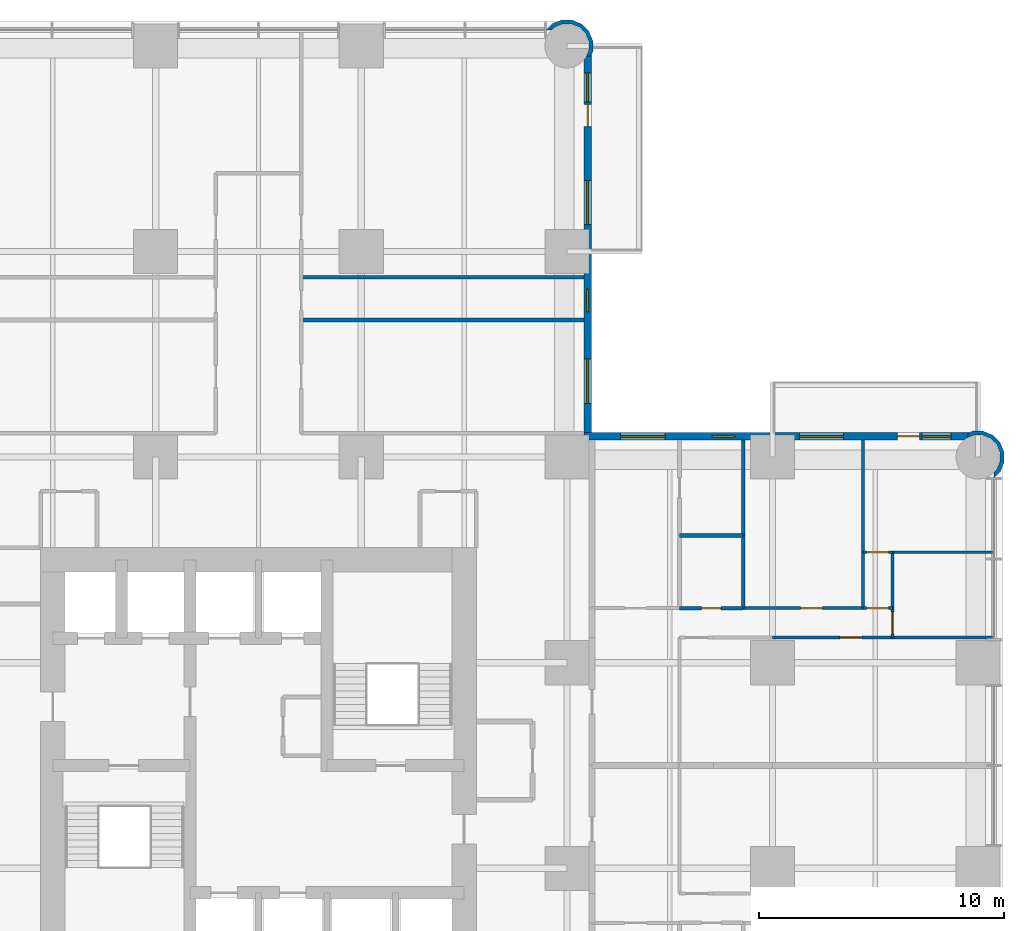
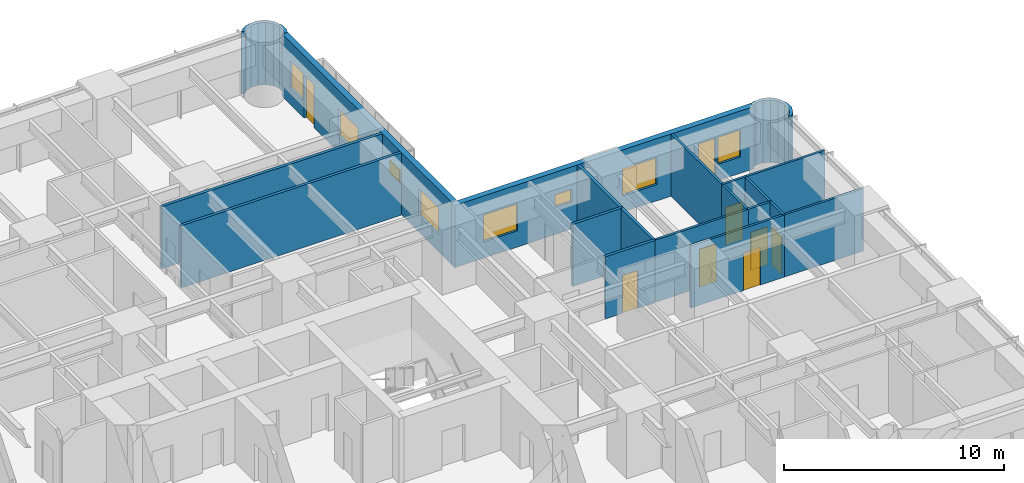
# One storey, part 14 of 17: 20 walls, 8 doors, 8 windows, 16 openings.
"""IFC4 building model written with IfcOpenShell, lengths in metres."""

from ifc_helpers import new_model, si_unit, direction, frame, frame_2d, origin, place, context, subcontext, project, spatial, polyline, rectangle, outline, extrude, material, layer, layer_set, type_object, element, fill, save


model = new_model("IFC4")

# Units and contexts
model_context = context("Model", 3, precision=1e-05, world=origin(), true_north=direction((0.0, 1.0)))
body_context = subcontext(model_context, "Body", "Model", "MODEL_VIEW")
ifc_project = project(units=[si_unit("LENGTHUNIT", "METRE"), si_unit("AREAUNIT", "SQUARE_METRE"), si_unit("VOLUMEUNIT", "CUBIC_METRE"), si_unit("PLANEANGLEUNIT", "RADIAN"), si_unit("MASSUNIT", "GRAM", prefix="KILO")], contexts=[model_context])

# Site, building, storey
site_placement = place(None, origin())
site = spatial("IfcSite", under=ifc_project, at=site_placement, CompositionType="ELEMENT")
building_placement = place(site_placement, origin())
building = spatial("IfcBuilding", under=site, at=building_placement, Name="Torre Alcanfor", CompositionType="ELEMENT")
storey_placement = place(building_placement, frame((0.0, 0.0, 38.10009765625)))
storey = spatial("IfcBuildingStorey", under=building, at=storey_placement, Name="L08", CompositionType="ELEMENT", Elevation=38.10009765625)

# Wall, opening, door
ifc_material_1 = material(Name="Gypsum board on steel studs", Category="steel")
ifc_layer_1 = layer(ifc_material_1, 0.1201171875)
ifc_layer_set_1 = layer_set([ifc_layer_1], Name="Apartment partition 120")
wall_type_1 = type_object("IfcWallType", Name="Apartment partition 120", PredefinedType="PARTITIONING", material=ifc_layer_set_1)
wall_1_placement = place(storey_placement, frame((55.300048828125, 34.62890625, 0.0), z_axis=(0.0, 0.0, 1.0), x_axis=(-1.0, 0.0, 0.0)))
wall_1 = element("IfcWall", 1, at=wall_1_placement, inside=storey, type_object=wall_type_1, Name="Partition L08-E1-LIVING / L08-E1-HALL", PredefinedType="PARTITIONING", context=body_context, shape_type="SweptSolid", body=[
    extrude(rectangle(XDim=4.900146484375, YDim=0.1201171875, at=frame_2d((2.4501953125, 0.0))), origin(), (0.0, 0.0, 1.0), 3.449951171875),
])
opening_1_placement = place(wall_1_placement, frame((1.25, 0.0, 0.0)))
opening_1 = element("IfcOpeningElement", 2, at=opening_1_placement, cuts=wall_1, Name="Opening D-R1", PredefinedType="OPENING", context=body_context, shape_type="SweptSolid", body=[
    extrude(rectangle(XDim=0.89990234375, YDim=2.10009765625, at=frame_2d((0.449951171875, 1.050048828125))), frame((0.0, 0.070068359375, 0.0), z_axis=(0.0, -1.0, 0.0), x_axis=(1.0, 0.0, 0.0)), (0.0, 0.0, 1.0), 0.14013671875),
])
ifc_material_2 = material(Name="Timber", Category="wood")
door_type_1 = type_object("IfcDoorType", Name="Internal door 900x2100", OperationType="SINGLE_SWING_LEFT", PredefinedType="DOOR", material=ifc_material_2)
door_1_placement = place(opening_1_placement, origin())
door_1 = element("IfcDoor", 3, at=door_1_placement, inside=storey, type_object=door_type_1, Name="Door L08-E1 living", OperationType="SINGLE_SWING_RIGHT", OverallHeight=2.10009765625, OverallWidth=0.89990234375, PredefinedType="DOOR", context=body_context, shape_type="SweptSolid", body=[
    extrude(rectangle(XDim=0.89990234375, YDim=2.10009765625, at=frame_2d((0.449951171875, 1.050048828125))), frame((0.0, 0.02490234375, 0.0), z_axis=(0.0, -1.0, 0.0), x_axis=(1.0, 0.0, 0.0)), (0.0, 0.0, 1.0), 0.050048828125),
])
fill(opening_1, door_1)

# Wall
wall_2_placement = place(storey_placement, frame((59.449951171875, 34.62890625, 0.0), z_axis=(0.0, 0.0, 1.0), x_axis=(-1.0, 0.0, 0.0)))
element("IfcWall", 4, at=wall_2_placement, inside=storey, type_object=wall_type_1, Name="Partition L08-E1-LIVING / L08-E1-BED2", PredefinedType="PARTITIONING", context=body_context, shape_type="SweptSolid", body=[
    extrude(rectangle(XDim=4.14990234375, YDim=0.1201171875, at=frame_2d((2.074951171875, 0.0))), origin(), (0.0, 0.0, 1.0), 3.449951171875),
])

# Wall, opening, door
wall_3_placement = place(storey_placement, frame((54.10009765625, 35.8291015625, 0.0), z_axis=(0.0, 0.0, 1.0), x_axis=(-1.0, 0.0, 0.0)))
wall_3 = element("IfcWall", 5, at=wall_3_placement, inside=storey, type_object=wall_type_1, Name="Partition L08-E1-HALL / L08-E1-BED3", PredefinedType="PARTITIONING", context=body_context, shape_type="SweptSolid", body=[
    extrude(rectangle(XDim=4.900146484375, YDim=0.1201171875, at=frame_2d((2.4501953125, 0.0))), origin(), (0.0, 0.0, 1.0), 3.449951171875),
])
opening_2_placement = place(wall_3_placement, frame((1.64990234375, 0.0, 0.0)))
opening_2 = element("IfcOpeningElement", 6, at=opening_2_placement, cuts=wall_3, Name="Opening D-R1", PredefinedType="OPENING", context=body_context, shape_type="SweptSolid", body=[
    extrude(rectangle(XDim=0.89990234375, YDim=2.10009765625, at=frame_2d((0.449951171875, 1.050048828125))), frame((0.0, 0.070068359375, 0.0), z_axis=(0.0, -1.0, 0.0), x_axis=(1.0, 0.0, 0.0)), (0.0, 0.0, 1.0), 0.14013671875),
])
door_2_placement = place(opening_2_placement, frame((0.89990234375, 0.0, 0.0), z_axis=(0.0, 0.0, 1.0), x_axis=(-1.0, 0.0, 0.0)))
door_2 = element("IfcDoor", 7, at=door_2_placement, inside=storey, type_object=door_type_1, Name="Door L08-E1 bed3", OperationType="SINGLE_SWING_RIGHT", OverallHeight=2.10009765625, OverallWidth=0.89990234375, PredefinedType="DOOR", context=body_context, shape_type="SweptSolid", body=[
    extrude(rectangle(XDim=0.89990234375, YDim=2.10009765625, at=frame_2d((0.449951171875, 1.050048828125))), frame((0.0, 0.025146484375, 0.0), z_axis=(0.0, -1.0, 0.0), x_axis=(1.0, 0.0, 0.0)), (0.0, 0.0, 1.0), 0.050048828125),
])
fill(opening_2, door_2)

wall_4_placement = place(storey_placement, frame((55.300048828125, 35.8291015625, 0.0), z_axis=(0.0, 0.0, 1.0), x_axis=(-1.0, 0.0, 0.0)))
wall_4 = element("IfcWall", 8, at=wall_4_placement, inside=storey, type_object=wall_type_1, Name="Partition L08-E1-HALL / L08-E1-VEST", PredefinedType="PARTITIONING", context=body_context, shape_type="SweptSolid", body=[
    extrude(rectangle(XDim=1.199951171875, YDim=0.1201171875, at=frame_2d((0.60009765625, 0.0))), origin(), (0.0, 0.0, 1.0), 3.449951171875),
])
opening_3_placement = place(wall_4_placement, frame((0.14990234375, 0.0, 0.0)))
opening_3 = element("IfcOpeningElement", 9, at=opening_3_placement, cuts=wall_4, Name="Opening D-R1", PredefinedType="OPENING", context=body_context, shape_type="SweptSolid", body=[
    extrude(rectangle(XDim=0.89990234375, YDim=2.10009765625, at=frame_2d((0.449951171875, 1.050048828125))), frame((0.0, 0.070068359375, 0.0), z_axis=(0.0, -1.0, 0.0), x_axis=(1.0, 0.0, 0.0)), (0.0, 0.0, 1.0), 0.14013671875),
])
door_3_placement = place(opening_3_placement, frame((0.89990234375, 0.0, 0.0), z_axis=(0.0, 0.0, 1.0), x_axis=(-1.0, 0.0, 0.0)))
door_3 = element("IfcDoor", 10, at=door_3_placement, inside=storey, type_object=door_type_1, Name="Door L08-E1 vest", OperationType="SINGLE_SWING_RIGHT", OverallHeight=2.10009765625, OverallWidth=0.89990234375, PredefinedType="DOOR", context=body_context, shape_type="SweptSolid", body=[
    extrude(rectangle(XDim=0.89990234375, YDim=2.10009765625, at=frame_2d((0.449951171875, 1.050048828125))), frame((0.0, 0.025146484375, 0.0), z_axis=(0.0, -1.0, 0.0), x_axis=(1.0, 0.0, 0.0)), (0.0, 0.0, 1.0), 0.050048828125),
])
fill(opening_3, door_3)

wall_5_placement = place(storey_placement, frame((55.300048828125, 34.62890625, 0.0), z_axis=(0.0, 0.0, 1.0), x_axis=(0.0, 1.0, 0.0)))
wall_5 = element("IfcWall", 11, at=wall_5_placement, inside=storey, type_object=wall_type_1, Name="Partition L08-E1-HALL / L08-E1-BED2", PredefinedType="PARTITIONING", context=body_context, shape_type="SweptSolid", body=[
    extrude(rectangle(XDim=1.2001953125, YDim=0.1201171875, at=frame_2d((0.60009765625, 0.0))), origin(), (0.0, 0.0, 1.0), 3.449951171875),
])
opening_4_placement = place(wall_5_placement, frame((0.15087890625, 0.0, 0.0)))
opening_4 = element("IfcOpeningElement", 12, at=opening_4_placement, cuts=wall_5, Name="Opening D-R1", PredefinedType="OPENING", context=body_context, shape_type="SweptSolid", body=[
    extrude(rectangle(XDim=0.89990234375, YDim=2.10009765625, at=frame_2d((0.449951171875, 1.050048828125))), frame((0.0, 0.070068359375, 0.0), z_axis=(0.0, -1.0, 0.0), x_axis=(1.0, 0.0, 0.0)), (0.0, 0.0, 1.0), 0.14013671875),
])
door_4_placement = place(opening_4_placement, frame((0.89990234375, 0.0, 0.0), z_axis=(0.0, 0.0, 1.0), x_axis=(-1.0, 0.0, 0.0)))
door_4 = element("IfcDoor", 13, at=door_4_placement, inside=storey, type_object=door_type_1, Name="Door L08-E1 bed2", OperationType="SINGLE_SWING_RIGHT", OverallHeight=2.10009765625, OverallWidth=0.89990234375, PredefinedType="DOOR", context=body_context, shape_type="SweptSolid", body=[
    extrude(rectangle(XDim=0.89990234375, YDim=2.10009765625, at=frame_2d((0.449951171875, 1.050048828125))), frame((0.0, 0.025146484375, 0.0), z_axis=(0.0, -1.0, 0.0), x_axis=(1.0, 0.0, 0.0)), (0.0, 0.0, 1.0), 0.050048828125),
])
fill(opening_4, door_4)

# Walls
wall_6_placement = place(storey_placement, frame((54.10009765625, 35.8291015625, 0.0), z_axis=(0.0, 0.0, 1.0), x_axis=(0.0, 1.0, 0.0)))
element("IfcWall", 14, at=wall_6_placement, inside=storey, type_object=wall_type_1, Name="Partition L08-E1-BED3 / L08-E1-VEST", PredefinedType="PARTITIONING", context=body_context, shape_type="SweptSolid", body=[
    extrude(rectangle(XDim=2.284912109375, YDim=0.1201171875, at=frame_2d((1.142578125, 0.0))), origin(), (0.0, 0.0, 1.0), 3.449951171875),
])
wall_7_placement = place(storey_placement, frame((54.10009765625, 38.114013671875, 0.0), z_axis=(0.0, 0.0, 1.0), x_axis=(0.0, 1.0, 0.0)))
element("IfcWall", 15, at=wall_7_placement, inside=storey, type_object=wall_type_1, Name="Partition L08-E1-BED3 / L08-E1-MASTER", PredefinedType="PARTITIONING", context=body_context, shape_type="SweptSolid", body=[
    extrude(rectangle(XDim=4.5859375, YDim=0.1201171875, at=frame_2d((2.29296875, 0.0))), origin(), (0.0, 0.0, 1.0), 3.449951171875),
])
wall_8_placement = place(storey_placement, frame((55.300048828125, 35.8291015625, 0.0), z_axis=(0.0, 0.0, 1.0), x_axis=(0.0, 1.0, 0.0)))
element("IfcWall", 16, at=wall_8_placement, inside=storey, type_object=wall_type_1, Name="Partition L08-E1-VEST / L08-E1-BED2", PredefinedType="PARTITIONING", context=body_context, shape_type="SweptSolid", body=[
    extrude(rectangle(XDim=2.284912109375, YDim=0.1201171875, at=frame_2d((1.142578125, 0.0))), origin(), (0.0, 0.0, 1.0), 3.449951171875),
])

# Wall, opening, door
wall_9_placement = place(storey_placement, frame((55.300048828125, 38.114013671875, 0.0), z_axis=(0.0, 0.0, 1.0), x_axis=(-1.0, 0.0, 0.0)))
wall_9 = element("IfcWall", 17, at=wall_9_placement, inside=storey, type_object=wall_type_1, Name="Partition L08-E1-VEST / L08-E1-MASTER", PredefinedType="PARTITIONING", context=body_context, shape_type="SweptSolid", body=[
    extrude(rectangle(XDim=1.199951171875, YDim=0.1201171875, at=frame_2d((0.60009765625, 0.0))), origin(), (0.0, 0.0, 1.0), 3.449951171875),
])
opening_5_placement = place(wall_9_placement, frame((0.14990234375, 0.0, 0.0)))
opening_5 = element("IfcOpeningElement", 18, at=opening_5_placement, cuts=wall_9, Name="Opening D-R1", PredefinedType="OPENING", context=body_context, shape_type="SweptSolid", body=[
    extrude(rectangle(XDim=0.89990234375, YDim=2.10009765625, at=frame_2d((0.449951171875, 1.050048828125))), frame((0.0, 0.070068359375, 0.0), z_axis=(0.0, -1.0, 0.0), x_axis=(1.0, 0.0, 0.0)), (0.0, 0.0, 1.0), 0.14013671875),
])
door_5_placement = place(opening_5_placement, origin())
door_5 = element("IfcDoor", 19, at=door_5_placement, inside=storey, type_object=door_type_1, Name="Door L08-E1 master", OperationType="SINGLE_SWING_LEFT", OverallHeight=2.10009765625, OverallWidth=0.89990234375, PredefinedType="DOOR", context=body_context, shape_type="SweptSolid", body=[
    extrude(rectangle(XDim=0.89990234375, YDim=2.10009765625, at=frame_2d((0.449951171875, 1.050048828125))), frame((0.0, 0.02490234375, 0.0), z_axis=(0.0, -1.0, 0.0), x_axis=(1.0, 0.0, 0.0)), (0.0, 0.0, 1.0), 0.050048828125),
])
fill(opening_5, door_5)

# Wall
wall_10_placement = place(storey_placement, frame((59.449951171875, 38.114013671875, 0.0), z_axis=(0.0, 0.0, 1.0), x_axis=(-1.0, 0.0, 0.0)))
element("IfcWall", 20, at=wall_10_placement, inside=storey, type_object=wall_type_1, Name="Partition L08-E1-BED2 / L08-E1-MASTER", PredefinedType="PARTITIONING", context=body_context, shape_type="SweptSolid", body=[
    extrude(rectangle(XDim=4.14990234375, YDim=0.1201171875, at=frame_2d((2.074951171875, 0.0))), origin(), (0.0, 0.0, 1.0), 3.449951171875),
])

# Wall, openings, door, windows
ifc_material_3 = material(Name="Limestone cladding", Category="masonry")
ifc_layer_2 = layer(ifc_material_3, 0.0400390625, Name="Facing")
ifc_material_4 = material(Name="Ventilated air cavity")
ifc_layer_3 = layer(ifc_material_4, 0.02001953125, ventilated=True, Name="Ventilated joint")
ifc_material_5 = material(Name="Mineral wool insulation", Category="insulation")
ifc_layer_4 = layer(ifc_material_5, 0.10009765625, Name="Insulation")
ifc_material_6 = material(Name="Concrete f'c 35 MPa", Category="concrete")
ifc_layer_5 = layer(ifc_material_6, 0.139892578125, Name="Backing")
ifc_layer_set_2 = layer_set([ifc_layer_2, ifc_layer_3, ifc_layer_4, ifc_layer_5], Name="External wall stone-clad 300")
wall_type_2 = type_object("IfcWallType", Name="External wall stone-clad 300", PredefinedType="SOLIDWALL", material=ifc_layer_set_2)
wall_11_placement = place(storey_placement, frame((58.39990234375, 42.85009765625, 0.0), z_axis=(0.0, 0.0, 1.0), x_axis=(-1.0, 0.0, 0.0)))
wall_11 = element("IfcWall", 21, at=wall_11_placement, inside=storey, type_object=wall_type_2, Name="External wall L08 9", PredefinedType="SOLIDWALL", context=body_context, shape_type="SweptSolid", body=[
    extrude(rectangle(XDim=15.699951171875, YDim=0.300048828125, at=frame_2d((7.85009765625, 0.0))), origin(), (0.0, 0.0, 1.0), 3.449951171875),
])
opening_6_placement = place(wall_11_placement, frame((12.39990234375, 0.0, 0.89990234375)))
opening_6 = element("IfcOpeningElement", 22, at=opening_6_placement, cuts=wall_11, Name="Opening W2", PredefinedType="OPENING", context=body_context, shape_type="SweptSolid", body=[
    extrude(rectangle(XDim=1.800048828125, YDim=1.5, at=frame_2d((0.89990234375, 0.75))), frame((0.0, 0.159912109375, 0.0), z_axis=(0.0, -1.0, 0.0), x_axis=(1.0, 0.0, 0.0)), (0.0, 0.0, 1.0), 0.320068359375),
])
opening_7_placement = place(wall_11_placement, frame((9.550048828125, 0.0, 1.5)))
opening_7 = element("IfcOpeningElement", 23, at=opening_7_placement, cuts=wall_11, Name="Opening W3", PredefinedType="OPENING", context=body_context, shape_type="SweptSolid", body=[
    extrude(rectangle(XDim=0.89990234375, YDim=0.699951171875, at=frame_2d((0.449951171875, 0.35009765625))), frame((0.0, 0.159912109375, 0.0), z_axis=(0.0, -1.0, 0.0), x_axis=(1.0, 0.0, 0.0)), (0.0, 0.0, 1.0), 0.320068359375),
])
opening_8_placement = place(wall_11_placement, frame((5.10009765625, 0.0, 0.89990234375)))
opening_8 = element("IfcOpeningElement", 24, at=opening_8_placement, cuts=wall_11, Name="Opening W2", PredefinedType="OPENING", context=body_context, shape_type="SweptSolid", body=[
    extrude(rectangle(XDim=1.800048828125, YDim=1.5, at=frame_2d((0.89990234375, 0.75))), frame((0.0, 0.159912109375, 0.0), z_axis=(0.0, -1.0, 0.0), x_axis=(1.0, 0.0, 0.0)), (0.0, 0.0, 1.0), 0.320068359375),
])
opening_9_placement = place(wall_11_placement, frame((2.0, 0.0, 0.0)))
opening_9 = element("IfcOpeningElement", 25, at=opening_9_placement, cuts=wall_11, Name="Opening D-B1", PredefinedType="OPENING", context=body_context, shape_type="SweptSolid", body=[
    extrude(rectangle(XDim=0.89990234375, YDim=2.39990234375, at=frame_2d((0.449951171875, 1.199951171875))), frame((0.0, 0.159912109375, 0.0), z_axis=(0.0, -1.0, 0.0), x_axis=(1.0, 0.0, 0.0)), (0.0, 0.0, 1.0), 0.320068359375),
])
opening_10_placement = place(wall_11_placement, frame((0.699951171875, 0.0, 0.89990234375)))
opening_10 = element("IfcOpeningElement", 26, at=opening_10_placement, cuts=wall_11, Name="Opening W4", PredefinedType="OPENING", context=body_context, shape_type="SweptSolid", body=[
    extrude(rectangle(XDim=1.199951171875, YDim=1.5, at=frame_2d((0.60009765625, 0.75))), frame((0.0, 0.159912109375, 0.0), z_axis=(0.0, -1.0, 0.0), x_axis=(1.0, 0.0, 0.0)), (0.0, 0.0, 1.0), 0.320068359375),
])
ifc_material_7 = material(Name="Aluminium and glass", Category="aluminium")
door_type_2 = type_object("IfcDoorType", Name="Balcony door glazed 900x2400", OperationType="SINGLE_SWING_LEFT", PredefinedType="DOOR", material=ifc_material_7)
door_6_placement = place(opening_9_placement, origin())
door_6 = element("IfcDoor", 27, at=door_6_placement, inside=storey, type_object=door_type_2, Name="Balcony door L08-E1", OperationType="SINGLE_SWING_RIGHT", OverallHeight=2.39990234375, OverallWidth=0.89990234375, PredefinedType="DOOR", context=body_context, shape_type="SweptSolid", body=[
    extrude(rectangle(XDim=0.89990234375, YDim=2.39990234375, at=frame_2d((0.449951171875, 1.199951171875))), frame((0.0, 0.02490234375, 0.0), z_axis=(0.0, -1.0, 0.0), x_axis=(1.0, 0.0, 0.0)), (0.0, 0.0, 1.0), 0.050048828125),
])
fill(opening_9, door_6)
ifc_material_8 = material(Name="Aluminium frame with clear double glazing", Category="aluminium")
window_type_1 = type_object("IfcWindowType", Name="Window bathroom 900x700", PartitioningType="SINGLE_PANEL", PredefinedType="WINDOW", material=ifc_material_8)
window_1_placement = place(opening_7_placement, origin())
window_1 = element("IfcWindow", 28, at=window_1_placement, inside=storey, type_object=window_type_1, Name="Window W3 L08-E1", OverallHeight=0.699951171875, OverallWidth=0.89990234375, PartitioningType="SINGLE_PANEL", PredefinedType="WINDOW", context=body_context, shape_type="SweptSolid", body=[
    extrude(rectangle(XDim=0.89990234375, YDim=0.699951171875, at=frame_2d((0.449951171875, 0.35009765625))), frame((0.0, 0.030029296875, 0.0), z_axis=(0.0, -1.0, 0.0), x_axis=(1.0, 0.0, 0.0)), (0.0, 0.0, 1.0), 0.06005859375),
])
fill(opening_7, window_1)
ifc_material_9 = material(Name="Aluminium frame with clear double glazing", Category="aluminium")
window_type_2 = type_object("IfcWindowType", Name="Window bedroom 1200x1500", PartitioningType="SINGLE_PANEL", PredefinedType="WINDOW", material=ifc_material_9)
window_2_placement = place(opening_10_placement, origin())
window_2 = element("IfcWindow", 29, at=window_2_placement, inside=storey, type_object=window_type_2, Name="Window W4 L08-E1", OverallHeight=1.5, OverallWidth=1.199951171875, PartitioningType="SINGLE_PANEL", PredefinedType="WINDOW", context=body_context, shape_type="SweptSolid", body=[
    extrude(rectangle(XDim=1.199951171875, YDim=1.5, at=frame_2d((0.60009765625, 0.75))), frame((0.0, 0.030029296875, 0.0), z_axis=(0.0, -1.0, 0.0), x_axis=(1.0, 0.0, 0.0)), (0.0, 0.0, 1.0), 0.06005859375),
])
fill(opening_10, window_2)
ifc_material_10 = material(Name="Aluminium frame with clear double glazing", Category="aluminium")
window_type_3 = type_object("IfcWindowType", Name="Window bedroom 1800x1500", PartitioningType="SINGLE_PANEL", PredefinedType="WINDOW", material=ifc_material_10)
window_3_placement = place(opening_6_placement, origin())
window_3 = element("IfcWindow", 30, at=window_3_placement, inside=storey, type_object=window_type_3, Name="Window W2 L08-E1", OverallHeight=1.5, OverallWidth=1.800048828125, PartitioningType="SINGLE_PANEL", PredefinedType="WINDOW", context=body_context, shape_type="SweptSolid", body=[
    extrude(rectangle(XDim=1.800048828125, YDim=1.5, at=frame_2d((0.89990234375, 0.75))), frame((0.0, 0.030029296875, 0.0), z_axis=(0.0, -1.0, 0.0), x_axis=(1.0, 0.0, 0.0)), (0.0, 0.0, 1.0), 0.06005859375),
])
fill(opening_6, window_3)
window_4_placement = place(opening_8_placement, origin())
window_4 = element("IfcWindow", 31, at=window_4_placement, inside=storey, type_object=window_type_3, Name="Window W2 L08-E1", OverallHeight=1.5, OverallWidth=1.800048828125, PartitioningType="SINGLE_PANEL", PredefinedType="WINDOW", context=body_context, shape_type="SweptSolid", body=[
    extrude(rectangle(XDim=1.800048828125, YDim=1.5, at=frame_2d((0.89990234375, 0.75))), frame((0.0, 0.030029296875, 0.0), z_axis=(0.0, -1.0, 0.0), x_axis=(1.0, 0.0, 0.0)), (0.0, 0.0, 1.0), 0.06005859375),
])
fill(opening_8, window_4)

wall_12_placement = place(storey_placement, frame((42.85009765625, 43.0, 0.0), z_axis=(0.0, 0.0, 1.0), x_axis=(0.0, 1.0, 0.0)))
wall_12 = element("IfcWall", 32, at=wall_12_placement, inside=storey, type_object=wall_type_2, Name="External wall L08 10", PredefinedType="SOLIDWALL", context=body_context, shape_type="SweptSolid", body=[
    extrude(rectangle(XDim=15.39990234375, YDim=0.300048828125, at=frame_2d((7.699951171875, 0.0))), origin(), (0.0, 0.0, 1.0), 3.449951171875),
])
opening_11_placement = place(wall_12_placement, frame((1.199951171875, 0.0, 0.89990234375)))
opening_11 = element("IfcOpeningElement", 33, at=opening_11_placement, cuts=wall_12, Name="Opening W2", PredefinedType="OPENING", context=body_context, shape_type="SweptSolid", body=[
    extrude(rectangle(XDim=1.800048828125, YDim=1.5, at=frame_2d((0.89990234375, 0.75))), frame((0.0, 0.159912109375, 0.0), z_axis=(0.0, -1.0, 0.0), x_axis=(1.0, 0.0, 0.0)), (0.0, 0.0, 1.0), 0.320068359375),
])
opening_12_placement = place(wall_12_placement, frame((4.949951171875, 0.0, 1.5)))
opening_12 = element("IfcOpeningElement", 34, at=opening_12_placement, cuts=wall_12, Name="Opening W3", PredefinedType="OPENING", context=body_context, shape_type="SweptSolid", body=[
    extrude(rectangle(XDim=0.89990234375, YDim=0.699951171875, at=frame_2d((0.449951171875, 0.35009765625))), frame((0.0, 0.159912109375, 0.0), z_axis=(0.0, -1.0, 0.0), x_axis=(1.0, 0.0, 0.0)), (0.0, 0.0, 1.0), 0.320068359375),
])
opening_13_placement = place(wall_12_placement, frame((8.5, 0.0, 0.89990234375)))
opening_13 = element("IfcOpeningElement", 35, at=opening_13_placement, cuts=wall_12, Name="Opening W2", PredefinedType="OPENING", context=body_context, shape_type="SweptSolid", body=[
    extrude(rectangle(XDim=1.800048828125, YDim=1.5, at=frame_2d((0.89990234375, 0.75))), frame((0.0, 0.159912109375, 0.0), z_axis=(0.0, -1.0, 0.0), x_axis=(1.0, 0.0, 0.0)), (0.0, 0.0, 1.0), 0.320068359375),
])
opening_14_placement = place(wall_12_placement, frame((12.5, 0.0, 0.0)))
opening_14 = element("IfcOpeningElement", 36, at=opening_14_placement, cuts=wall_12, Name="Opening D-B1", PredefinedType="OPENING", context=body_context, shape_type="SweptSolid", body=[
    extrude(rectangle(XDim=0.89990234375, YDim=2.39990234375, at=frame_2d((0.449951171875, 1.199951171875))), frame((0.0, 0.159912109375, 0.0), z_axis=(0.0, -1.0, 0.0), x_axis=(1.0, 0.0, 0.0)), (0.0, 0.0, 1.0), 0.320068359375),
])
opening_15_placement = place(wall_12_placement, frame((13.5, 0.0, 0.89990234375)))
opening_15 = element("IfcOpeningElement", 37, at=opening_15_placement, cuts=wall_12, Name="Opening W4", PredefinedType="OPENING", context=body_context, shape_type="SweptSolid", body=[
    extrude(rectangle(XDim=1.199951171875, YDim=1.5, at=frame_2d((0.60009765625, 0.75))), frame((0.0, 0.159912109375, 0.0), z_axis=(0.0, -1.0, 0.0), x_axis=(1.0, 0.0, 0.0)), (0.0, 0.0, 1.0), 0.320068359375),
])
door_7_placement = place(opening_14_placement, origin())
door_7 = element("IfcDoor", 38, at=door_7_placement, inside=storey, type_object=door_type_2, Name="Balcony door L08-N2", OperationType="SINGLE_SWING_RIGHT", OverallHeight=2.39990234375, OverallWidth=0.89990234375, PredefinedType="DOOR", context=body_context, shape_type="SweptSolid", body=[
    extrude(rectangle(XDim=0.89990234375, YDim=2.39990234375, at=frame_2d((0.449951171875, 1.199951171875))), frame((0.0, 0.02490234375, 0.0), z_axis=(0.0, -1.0, 0.0), x_axis=(1.0, 0.0, 0.0)), (0.0, 0.0, 1.0), 0.050048828125),
])
fill(opening_14, door_7)
window_5_placement = place(opening_12_placement, origin())
window_5 = element("IfcWindow", 39, at=window_5_placement, inside=storey, type_object=window_type_1, Name="Window W3 L08-N2", OverallHeight=0.699951171875, OverallWidth=0.89990234375, PartitioningType="SINGLE_PANEL", PredefinedType="WINDOW", context=body_context, shape_type="SweptSolid", body=[
    extrude(rectangle(XDim=0.89990234375, YDim=0.699951171875, at=frame_2d((0.449951171875, 0.35009765625))), frame((0.0, 0.030029296875, 0.0), z_axis=(0.0, -1.0, 0.0), x_axis=(1.0, 0.0, 0.0)), (0.0, 0.0, 1.0), 0.06005859375),
])
fill(opening_12, window_5)
window_6_placement = place(opening_15_placement, origin())
window_6 = element("IfcWindow", 40, at=window_6_placement, inside=storey, type_object=window_type_2, Name="Window W4 L08-N2", OverallHeight=1.5, OverallWidth=1.199951171875, PartitioningType="SINGLE_PANEL", PredefinedType="WINDOW", context=body_context, shape_type="SweptSolid", body=[
    extrude(rectangle(XDim=1.199951171875, YDim=1.5, at=frame_2d((0.60009765625, 0.75))), frame((0.0, 0.030029296875, 0.0), z_axis=(0.0, -1.0, 0.0), x_axis=(1.0, 0.0, 0.0)), (0.0, 0.0, 1.0), 0.06005859375),
])
fill(opening_15, window_6)
window_7_placement = place(opening_11_placement, origin())
window_7 = element("IfcWindow", 41, at=window_7_placement, inside=storey, type_object=window_type_3, Name="Window W2 L08-N2", OverallHeight=1.5, OverallWidth=1.800048828125, PartitioningType="SINGLE_PANEL", PredefinedType="WINDOW", context=body_context, shape_type="SweptSolid", body=[
    extrude(rectangle(XDim=1.800048828125, YDim=1.5, at=frame_2d((0.89990234375, 0.75))), frame((0.0, 0.030029296875, 0.0), z_axis=(0.0, -1.0, 0.0), x_axis=(1.0, 0.0, 0.0)), (0.0, 0.0, 1.0), 0.06005859375),
])
fill(opening_11, window_7)
window_8_placement = place(opening_13_placement, origin())
window_8 = element("IfcWindow", 42, at=window_8_placement, inside=storey, type_object=window_type_3, Name="Window W2 L08-N2", OverallHeight=1.5, OverallWidth=1.800048828125, PartitioningType="SINGLE_PANEL", PredefinedType="WINDOW", context=body_context, shape_type="SweptSolid", body=[
    extrude(rectangle(XDim=1.800048828125, YDim=1.5, at=frame_2d((0.89990234375, 0.75))), frame((0.0, 0.030029296875, 0.0), z_axis=(0.0, -1.0, 0.0), x_axis=(1.0, 0.0, 0.0)), (0.0, 0.0, 1.0), 0.06005859375),
])
fill(opening_13, window_8)

# Walls
ifc_material_11 = material(Name="Concrete block masonry, hollow blocks NMX-C-404 9 MPa", Category="masonry")
ifc_layer_6 = layer(ifc_material_11, 0.14990234375)
ifc_layer_set_3 = layer_set([ifc_layer_6], Name="Residents' room partition 150")
wall_type_3 = type_object("IfcWallType", Name="Residents' room partition 150", PredefinedType="PARTITIONING", material=ifc_layer_set_3)
for number, where, z_axis, x_axis, name in (
    (43, (42.699951171875, 47.60009765625, 0.0), (0.0, 0.0, 1.0), (-1.0, 0.0, 0.0), "Partition L08-N-STORE / L08-N-CLEAN"),
    (44, (42.699951171875, 49.35009765625, 0.0), (0.0, 0.0, 1.0), (-1.0, 0.0, 0.0), "Partition L08-N-CLEAN / L08-N-STUDYR"),
):
    element("IfcWall", number, at=place(storey_placement, frame(where, z_axis=z_axis, x_axis=x_axis)), inside=storey, type_object=wall_type_3, Name=name, PredefinedType="PARTITIONING", context=body_context, shape_type="SweptSolid", body=[
        extrude(rectangle(XDim=11.556884765625, YDim=0.14990234375, at=frame_2d((5.7783203125, 0.0))), origin(), (0.0, 0.0, 1.0), 3.449951171875),
    ])
ifc_layer_7 = layer(ifc_material_3, 0.0400390625, Name="Facing")
ifc_layer_8 = layer(ifc_material_4, 0.02001953125, ventilated=True, Name="Ventilated joint")
ifc_layer_9 = layer(ifc_material_5, 0.10009765625, Name="Insulation")
ifc_layer_10 = layer(ifc_material_6, 0.139892578125, Name="Backing")
ifc_layer_set_4 = layer_set([ifc_layer_7, ifc_layer_8, ifc_layer_9, ifc_layer_10], Name="Rounded corner pier stone-clad 300")
wall_type_4 = type_object("IfcWallType", Name="Rounded corner pier stone-clad 300", PredefinedType="SOLIDWALL", material=ifc_layer_set_4)
wall_13_placement = place(storey_placement, frame((59.410519256, 41.23340608, 0.0), z_axis=(0.0, 0.0, 1.0), x_axis=(0.926129809145, 0.377204953059, 0.0)))
element("IfcWall", 45, at=wall_13_placement, inside=storey, type_object=wall_type_4, Name="Corner pier L08 18", PredefinedType="SOLIDWALL", context=body_context, shape_type="SweptSolid", body=[
    extrude(outline(polyline([(0.6260654471319579, 0.34524919711057256), (0.7850146045978224, 0.7355079985228963), (0.7823098124660501, 1.1573373086599013), (0.6187697625812524, 1.546081906916958), (0.31877691555394516, 1.8425152342918512), (-0.07170799176881437, 2.0015564828107086), (-0.24004949470661174, 2.000526523212158), (-0.2695944713928893, 2.0173049949130335), (-0.36998902843916337, 1.8407134525266757), (-0.10235758996356603, 1.8421635923174307), (0.22956588655630128, 1.7069739265237522), (0.4845024203782949, 1.4552530429107593), (0.6236098424040335, 1.1249645948716174), (0.6257138051575375, 0.7663837026280839), (0.49052413936385914, 0.43446022610821644), (0.23848505878743742, 0.1793896774287799), (0.09020527382959523, 0.11693875386038477), (0.010914877202648991, -0.0777384350249053), (0.02448123182880161, -0.08326389820448342), (0.32940601384662893, 0.045348441136258355), (0.47997135267738844, 0.19755163478368112), (0.49907282709518125, 0.19267151555903828), (0.5076193949673722, 0.22530566424262682), (0.6260654471319579, 0.34524919711057256)])), origin(), (0.0, 0.0, 1.0), 3.449951171875),
])
wall_14_placement = place(storey_placement, frame((42.909907157, 58.436037137, 0.0), z_axis=(0.0, 0.0, 1.0), x_axis=(0.377204953059, 0.926129809145, 0.0)))
element("IfcWall", 46, at=wall_14_placement, inside=storey, type_object=wall_type_4, Name="Corner pier L08 19", PredefinedType="SOLIDWALL", context=body_context, shape_type="SweptSolid", body=[
    extrude(outline(polyline([(0.7691852559267269, 1.7275655888693722), (0.7500837815089341, 1.7226854696447296), (0.5995184426781746, 1.8748886632921522), (0.2945936606603473, 2.0035010026328943), (0.2810273060341947, 1.997975539453316), (0.36031770266114094, 1.803298350568026), (0.5085974876189833, 1.7408474269996308), (0.7606365681954048, 1.4857768783201941), (0.8958262339890831, 1.1538534018003268), (0.8937222712355792, 0.7952725095567933), (0.7546148492098406, 0.46498406151765126), (0.499678315387847, 0.21326317790465843), (0.16775483886797962, 0.07807351211098004), (-0.09987659960761772, 0.07952365190173498), (0.0005179574386563676, -0.09706789048462287), (0.030062934124933945, -0.08028941878374739), (0.19840443706273136, -0.08131937838229769), (0.5888893443854909, 0.07772187013655965), (0.888882191412798, 0.3741551975114527), (1.0524222412975957, 0.7628997957685094), (1.0551270334293679, 1.1847291059055145), (0.8961778759635035, 1.5749879073178383), (0.7777318237989179, 1.6949314401857838), (0.7691852559267269, 1.7275655888693722)])), origin(), (0.0, 0.0, 1.0), 3.449951171875),
])

# Wall, opening, door
ifc_material_12 = material(Name="Cement board on steel studs", Category="steel")
ifc_layer_11 = layer(ifc_material_12, 0.14990234375)
ifc_layer_set_5 = layer_set([ifc_layer_11], Name="Wet area partition 150")
wall_type_5 = type_object("IfcWallType", Name="Wet area partition 150", PredefinedType="PARTITIONING", material=ifc_layer_set_5)
wall_15_placement = place(storey_placement, frame((49.199951171875, 35.8291015625, 0.0), z_axis=(0.0, 0.0, 1.0), x_axis=(-1.0, 0.0, 0.0)))
wall_15 = element("IfcWall", 47, at=wall_15_placement, inside=storey, type_object=wall_type_5, Name="Partition L08-E1-HALL / L08-E1-BATH1", PredefinedType="PARTITIONING", context=body_context, shape_type="SweptSolid", body=[
    extrude(rectangle(XDim=2.599853515625, YDim=0.14990234375, at=frame_2d((1.2998046875, 0.0))), origin(), (0.0, 0.0, 1.0), 3.449951171875),
])
opening_16_placement = place(wall_15_placement, frame((0.89990234375, 0.0, 0.0)))
opening_16 = element("IfcOpeningElement", 48, at=opening_16_placement, cuts=wall_15, Name="Opening D-R2", PredefinedType="OPENING", context=body_context, shape_type="SweptSolid", body=[
    extrude(rectangle(XDim=0.800048828125, YDim=2.10009765625, at=frame_2d((0.39990234375, 1.050048828125))), frame((0.0, 0.0849609375, 0.0), z_axis=(0.0, -1.0, 0.0), x_axis=(1.0, 0.0, 0.0)), (0.0, 0.0, 1.0), 0.169921875),
])
ifc_material_13 = material(Name="Timber", Category="wood")
door_type_3 = type_object("IfcDoorType", Name="Bathroom door 800x2100", OperationType="SINGLE_SWING_LEFT", PredefinedType="DOOR", material=ifc_material_13)
door_8_placement = place(opening_16_placement, frame((0.800048828125, 0.0, 0.0), z_axis=(0.0, 0.0, 1.0), x_axis=(-1.0, 0.0, 0.0)))
door_8 = element("IfcDoor", 49, at=door_8_placement, inside=storey, type_object=door_type_3, Name="Door L08-E1 bath1", OperationType="SINGLE_SWING_RIGHT", OverallHeight=2.10009765625, OverallWidth=0.800048828125, PredefinedType="DOOR", context=body_context, shape_type="SweptSolid", body=[
    extrude(rectangle(XDim=0.800048828125, YDim=2.10009765625, at=frame_2d((0.400146484375, 1.050048828125))), frame((0.0, 0.025146484375, 0.0), z_axis=(0.0, -1.0, 0.0), x_axis=(1.0, 0.0, 0.0)), (0.0, 0.0, 1.0), 0.050048828125),
])
fill(opening_16, door_8)

# Walls
wall_16_placement = place(storey_placement, frame((49.199951171875, 38.800048828125, 0.0), z_axis=(0.0, 0.0, 1.0), x_axis=(-1.0, 0.0, 0.0)))
element("IfcWall", 50, at=wall_16_placement, inside=storey, type_object=wall_type_5, Name="Partition L08-E1-BATH1 / L08-E1-SBATH", PredefinedType="PARTITIONING", context=body_context, shape_type="SweptSolid", body=[
    extrude(rectangle(XDim=2.599853515625, YDim=0.14990234375, at=frame_2d((1.2998046875, 0.0))), origin(), (0.0, 0.0, 1.0), 3.449951171875),
])
wall_17_placement = place(storey_placement, frame((49.199951171875, 35.8291015625, 0.0), z_axis=(0.0, 0.0, 1.0), x_axis=(0.0, 1.0, 0.0)))
element("IfcWall", 51, at=wall_17_placement, inside=storey, type_object=wall_type_5, Name="Partition L08-E1-BATH1 / L08-E1-BED3", PredefinedType="PARTITIONING", context=body_context, shape_type="SweptSolid", body=[
    extrude(rectangle(XDim=2.970947265625, YDim=0.14990234375, at=frame_2d((1.4853515625, 0.0))), origin(), (0.0, 0.0, 1.0), 3.449951171875),
])
wall_18_placement = place(storey_placement, frame((49.199951171875, 38.800048828125, 0.0), z_axis=(0.0, 0.0, 1.0), x_axis=(0.0, 1.0, 0.0)))
element("IfcWall", 52, at=wall_18_placement, inside=storey, type_object=wall_type_5, Name="Partition L08-E1-SBATH / L08-E1-BED3", PredefinedType="PARTITIONING", context=body_context, shape_type="SweptSolid", body=[
    extrude(rectangle(XDim=3.89990234375, YDim=0.14990234375, at=frame_2d((1.949951171875, 0.0))), origin(), (0.0, 0.0, 1.0), 3.449951171875),
])

save(model, "model.ifc")
